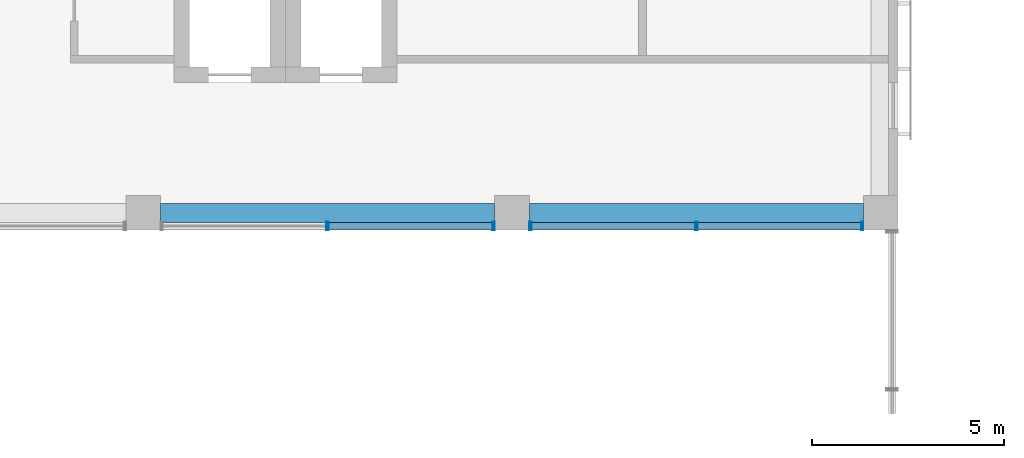
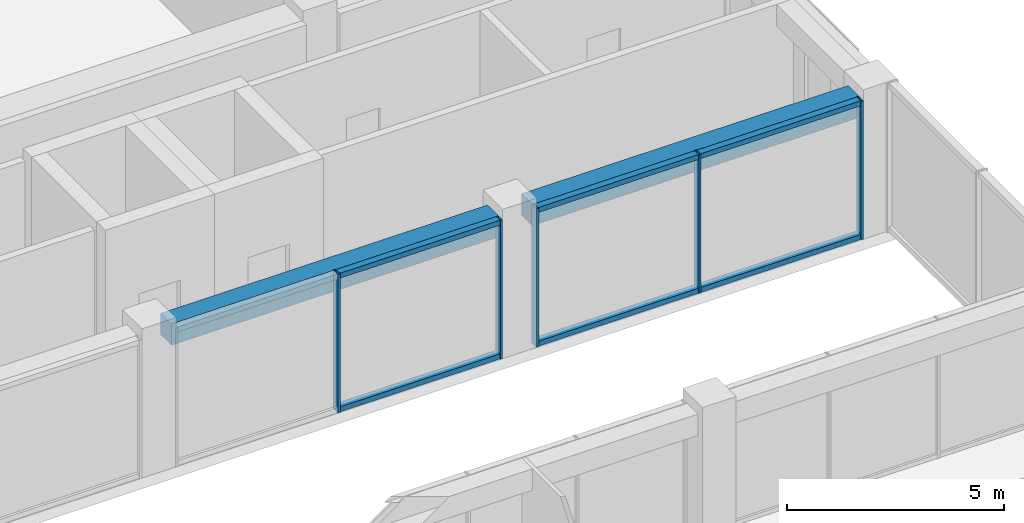
# One storey, part 18 of 36: 11 members, 2 beams, 2 elements without a shape of their own.
"""IFC4 building model written with IfcOpenShell, lengths in metres."""

from ifc_helpers import new_model, si_unit, direction, frame, origin, origin_2d, place, context, subcontext, project, spatial, rectangle, hollow_rectangle, extrude, material, layer, layer_set, material_profile, profile_set, type_object, element, aggregate, save


model = new_model("IFC4")

# Units and contexts
model_context = context("Model", 3, precision=1e-05, world=origin(), true_north=direction((0.0, 1.0)))
body_context = subcontext(model_context, "Body", "Model", "MODEL_VIEW")
ifc_project = project(units=[si_unit("LENGTHUNIT", "METRE"), si_unit("AREAUNIT", "SQUARE_METRE"), si_unit("VOLUMEUNIT", "CUBIC_METRE"), si_unit("PLANEANGLEUNIT", "RADIAN"), si_unit("MASSUNIT", "GRAM", prefix="KILO")], contexts=[model_context])

# Site, building, storey
site_placement = place(None, origin())
site = spatial("IfcSite", under=ifc_project, at=site_placement, CompositionType="ELEMENT")
building_placement = place(site_placement, origin())
building = spatial("IfcBuilding", under=site, at=building_placement, Name="Nzadi Deep Aquarium and Research Tower", CompositionType="ELEMENT")
storey_placement = place(building_placement, frame((0.0, 0.0, 36.10009765625)))
storey = spatial("IfcBuildingStorey", under=building, at=storey_placement, Name="L06", CompositionType="ELEMENT", Elevation=36.10009765625)

# Curtain wall, members
ifc_material_1 = material(Name="Aluminium unitised frame deep", Category="aluminium")
ifc_layer = layer(ifc_material_1, 0.22509765625)
ifc_layer_set = layer_set([ifc_layer], Name="Aluminium unitised frame deep")
curtain_wall_type = type_object("IfcCurtainWallType", Name="Curtain wall Unitised Deep 225", PredefinedType="NOTDEFINED", material=ifc_layer_set)
curtain_wall_1_placement = place(storey_placement, origin())
curtain_wall_1 = element("IfcCurtainWall", 1, at=curtain_wall_1_placement, inside=storey, type_object=curtain_wall_type, Name="Unitised curtain wall blade B south L06", PredefinedType="NOTDEFINED")
ifc_material_2 = material(Name="Aluminium unitised frame deep", Category="aluminium")
ifc_material_profile_1 = material_profile(ifc_material_2, hollow_rectangle(XDim=0.22509765625, YDim=0.06005859375, WallThickness=0.0048828125, at=origin_2d()))
ifc_profile_set_1 = profile_set([ifc_material_profile_1], Name="Aluminium unitised frame deep")
member_type_1 = type_object("IfcMemberType", Name="Mullion 60x225 Unitised Deep", PredefinedType="MULLION", material=ifc_profile_set_1)
member_1_placement = place(storey_placement, frame((33.60009765625, 27.262451171875, 0.0), z_axis=(0.0, 0.0, 1.0), x_axis=(0.0, 1.0, 0.0)))
member_1 = element("IfcMember", 2, at=member_1_placement, type_object=member_type_1, Name="CW091 mullion 2", PredefinedType="MULLION", context=body_context, shape_type="SweptSolid", body=[
    extrude(hollow_rectangle(XDim=0.22509765625, YDim=0.06005859375, WallThickness=0.0048828125, at=origin_2d()), origin(), (0.0, 0.0, 1.0), 3.89990234375),
])
member_2_placement = place(storey_placement, frame((37.919921875, 27.262451171875, 0.0), z_axis=(0.0, 0.0, 1.0), x_axis=(0.0, 1.0, 0.0)))
member_2 = element("IfcMember", 3, at=member_2_placement, type_object=member_type_1, Name="CW091 mullion 3", PredefinedType="MULLION", context=body_context, shape_type="SweptSolid", body=[
    extrude(hollow_rectangle(XDim=0.22509765625, YDim=0.06005859375, WallThickness=0.0048828125, at=origin_2d()), origin(), (0.0, 0.0, 1.0), 3.89990234375),
])

curtain_wall_2_placement = place(storey_placement, origin())
curtain_wall_2 = element("IfcCurtainWall", 4, at=curtain_wall_2_placement, inside=storey, type_object=curtain_wall_type, Name="Unitised curtain wall blade B south L06", PredefinedType="NOTDEFINED")
member_3_placement = place(storey_placement, frame((38.8798828125, 27.262451171875, 0.0), z_axis=(0.0, 0.0, 1.0), x_axis=(0.0, 1.0, 0.0)))
member_3 = element("IfcMember", 5, at=member_3_placement, type_object=member_type_1, Name="CW092 mullion 1", PredefinedType="MULLION", context=body_context, shape_type="SweptSolid", body=[
    extrude(hollow_rectangle(XDim=0.22509765625, YDim=0.06005859375, WallThickness=0.0048828125, at=origin_2d()), origin(), (0.0, 0.0, 1.0), 3.89990234375),
])
member_4_placement = place(storey_placement, frame((43.199951171875, 27.262451171875, 0.0), z_axis=(0.0, 0.0, 1.0), x_axis=(0.0, 1.0, 0.0)))
member_4 = element("IfcMember", 6, at=member_4_placement, type_object=member_type_1, Name="CW092 mullion 2", PredefinedType="MULLION", context=body_context, shape_type="SweptSolid", body=[
    extrude(hollow_rectangle(XDim=0.22509765625, YDim=0.06005859375, WallThickness=0.0048828125, at=origin_2d()), origin(), (0.0, 0.0, 1.0), 3.89990234375),
])
member_5_placement = place(storey_placement, frame((47.52001953125, 27.262451171875, 0.0), z_axis=(0.0, 0.0, 1.0), x_axis=(0.0, 1.0, 0.0)))
member_5 = element("IfcMember", 7, at=member_5_placement, type_object=member_type_1, Name="CW092 mullion 3", PredefinedType="MULLION", context=body_context, shape_type="SweptSolid", body=[
    extrude(hollow_rectangle(XDim=0.22509765625, YDim=0.06005859375, WallThickness=0.0048828125, at=origin_2d()), origin(), (0.0, 0.0, 1.0), 3.89990234375),
])

# Beams
ifc_material_3 = material(Name="Concrete C35/45", Category="concrete")
ifc_material_profile_2 = material_profile(ifc_material_3, rectangle(XDim=0.5, YDim=0.60009765625, at=origin_2d()))
ifc_profile_set_2 = profile_set([ifc_material_profile_2], Name="Concrete C35/45")
beam_type = type_object("IfcBeamType", Name="RC 500x600", PredefinedType="BEAM", material=ifc_profile_set_2)
for number, where, z_axis, x_axis, name in (
    (8, (29.25, 27.60009765625, 3.599853515625), (1.0, 0.0, 0.0), (0.0, 1.0, 0.0), "B-Z1-L06-L4-4"),
    (9, (38.85009765625, 27.60009765625, 3.599853515625), (1.0, 0.0, 0.0), (0.0, 1.0, 0.0), "B-Z1-L06-L4-5"),
):
    element("IfcBeam", number, at=place(storey_placement, frame(where, z_axis=z_axis, x_axis=x_axis)), inside=storey, type_object=beam_type, Name=name, PredefinedType="BEAM", context=body_context, shape_type="SweptSolid", body=[
        extrude(rectangle(XDim=0.5, YDim=0.60009765625, at=origin_2d()), origin(), (0.0, 0.0, 1.0), 8.699951171875),
    ])

# Member
ifc_material_4 = material(Name="Aluminium unitised frame deep", Category="aluminium")
ifc_material_profile_3 = material_profile(ifc_material_4, hollow_rectangle(XDim=0.179931640625, YDim=0.139892578125, WallThickness=0.0048828125, at=origin_2d()))
ifc_profile_set_3 = profile_set([ifc_material_profile_3], Name="Aluminium unitised frame deep")
member_type_2 = type_object("IfcMemberType", Name="Transom 140x180 Unitised Deep", PredefinedType="MULLION", material=ifc_profile_set_3)
member_6_placement = place(storey_placement, frame((33.6298828125, 27.262451171875, 0.06982421875), z_axis=(1.0, 0.0, 0.0), x_axis=(0.0, 1.0, 0.0)))
member_6 = element("IfcMember", 10, at=member_6_placement, type_object=member_type_2, Name="CW091 transom 2.1", PredefinedType="MULLION", context=body_context, shape_type="SweptSolid", body=[
    extrude(hollow_rectangle(XDim=0.179931640625, YDim=0.139892578125, WallThickness=0.0048828125, at=origin_2d()), origin(), (0.0, 0.0, 1.0), 4.260009765625),
])

member_7_placement = place(storey_placement, frame((33.6298828125, 27.262451171875, 3.829833984375), z_axis=(1.0, 0.0, 0.0), x_axis=(0.0, 1.0, 0.0)))
member_7 = element("IfcMember", 11, at=member_7_placement, type_object=member_type_2, Name="CW091 transom 2.2", PredefinedType="MULLION", context=body_context, shape_type="SweptSolid", body=[
    extrude(hollow_rectangle(XDim=0.179931640625, YDim=0.139892578125, WallThickness=0.0048828125, at=origin_2d()), origin(), (0.0, 0.0, 1.0), 4.260009765625),
])

aggregate(curtain_wall_1, [member_1, member_2, member_6, member_7])

member_8_placement = place(storey_placement, frame((38.909912109375, 27.262451171875, 0.06982421875), z_axis=(1.0, 0.0, 0.0), x_axis=(0.0, 1.0, 0.0)))
member_8 = element("IfcMember", 12, at=member_8_placement, type_object=member_type_2, Name="CW092 transom 1.1", PredefinedType="MULLION", context=body_context, shape_type="SweptSolid", body=[
    extrude(hollow_rectangle(XDim=0.179931640625, YDim=0.139892578125, WallThickness=0.0048828125, at=origin_2d()), origin(), (0.0, 0.0, 1.0), 4.260009765625),
])

member_9_placement = place(storey_placement, frame((38.909912109375, 27.262451171875, 3.829833984375), z_axis=(1.0, 0.0, 0.0), x_axis=(0.0, 1.0, 0.0)))
member_9 = element("IfcMember", 13, at=member_9_placement, type_object=member_type_2, Name="CW092 transom 1.2", PredefinedType="MULLION", context=body_context, shape_type="SweptSolid", body=[
    extrude(hollow_rectangle(XDim=0.179931640625, YDim=0.139892578125, WallThickness=0.0048828125, at=origin_2d()), origin(), (0.0, 0.0, 1.0), 4.260009765625),
])

member_10_placement = place(storey_placement, frame((43.22998046875, 27.262451171875, 0.06982421875), z_axis=(1.0, 0.0, 0.0), x_axis=(0.0, 1.0, 0.0)))
member_10 = element("IfcMember", 14, at=member_10_placement, type_object=member_type_2, Name="CW092 transom 2.1", PredefinedType="MULLION", context=body_context, shape_type="SweptSolid", body=[
    extrude(hollow_rectangle(XDim=0.179931640625, YDim=0.139892578125, WallThickness=0.0048828125, at=origin_2d()), origin(), (0.0, 0.0, 1.0), 4.260009765625),
])

member_11_placement = place(storey_placement, frame((43.22998046875, 27.262451171875, 3.829833984375), z_axis=(1.0, 0.0, 0.0), x_axis=(0.0, 1.0, 0.0)))
member_11 = element("IfcMember", 15, at=member_11_placement, type_object=member_type_2, Name="CW092 transom 2.2", PredefinedType="MULLION", context=body_context, shape_type="SweptSolid", body=[
    extrude(hollow_rectangle(XDim=0.179931640625, YDim=0.139892578125, WallThickness=0.0048828125, at=origin_2d()), origin(), (0.0, 0.0, 1.0), 4.260009765625),
])

aggregate(curtain_wall_2, [member_3, member_4, member_5, member_8, member_9, member_10, member_11])

save(model, "model.ifc")
